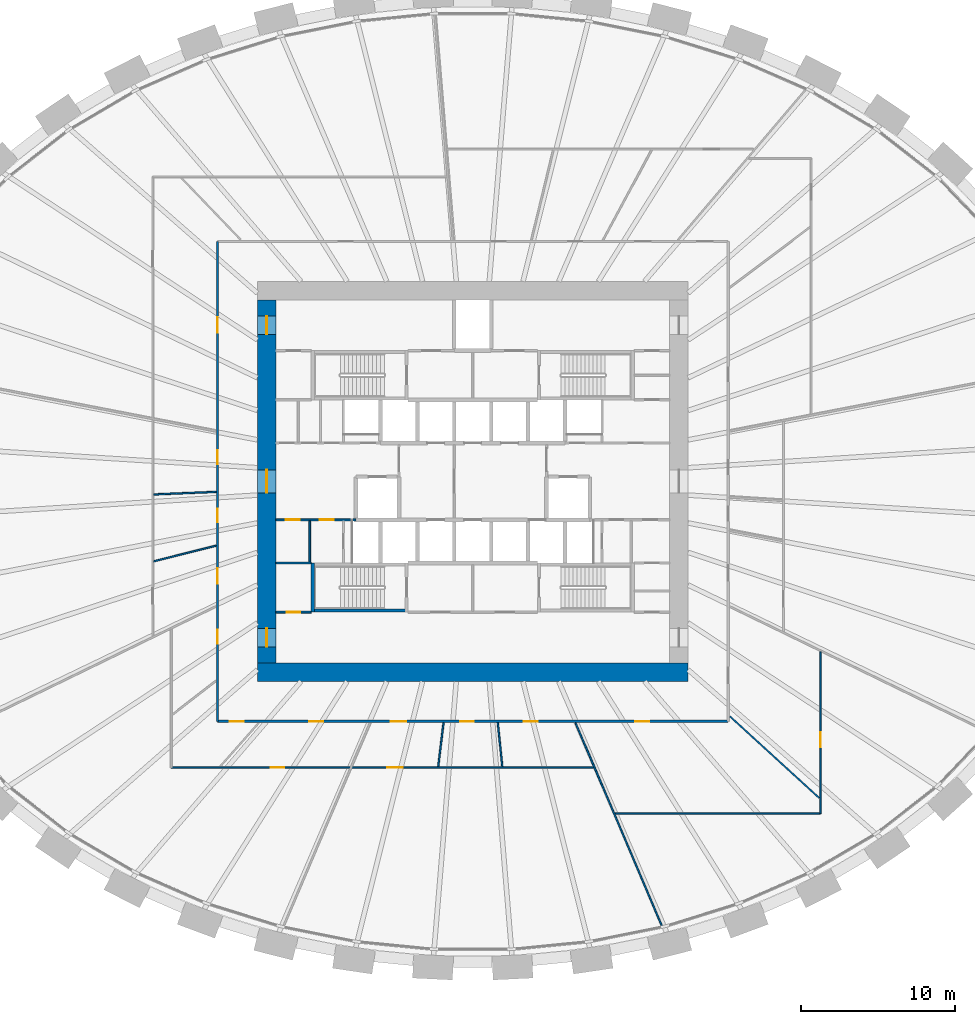
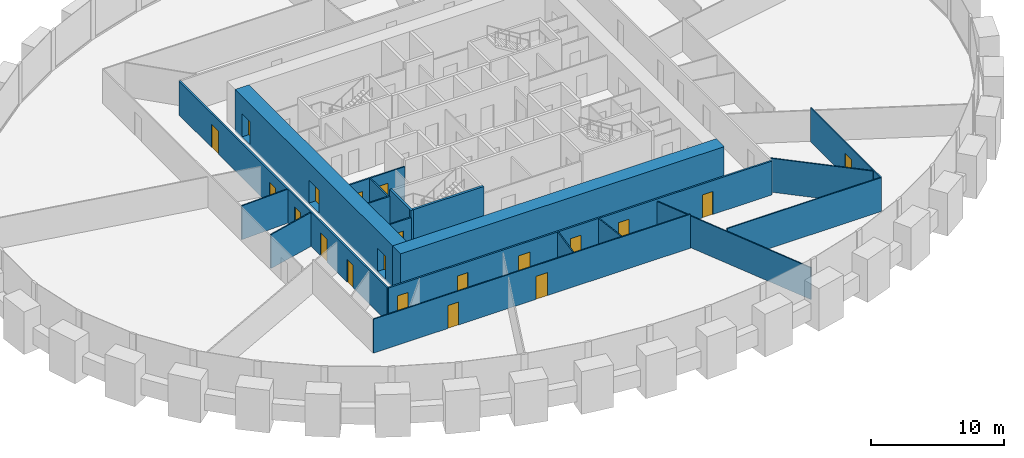
# One storey, part 6 of 11: 20 doors, 19 walls, 20 openings.
"""IFC4 building model written with IfcOpenShell, lengths in metres."""

from ifc_helpers import new_model, si_unit, direction, frame, frame_2d, origin, place, context, subcontext, project, spatial, rectangle, extrude, source, transform, mapped, material, layer, layer_set, type_object, element, fill, save


model = new_model("IFC4")

# Units and contexts
model_context = context("Model", 3, precision=1e-05, world=origin(), true_north=direction((0.0, 1.0)))
body_context = subcontext(model_context, "Body", "Model", "MODEL_VIEW")
ifc_project = project(units=[si_unit("LENGTHUNIT", "METRE"), si_unit("AREAUNIT", "SQUARE_METRE"), si_unit("VOLUMEUNIT", "CUBIC_METRE"), si_unit("PLANEANGLEUNIT", "RADIAN"), si_unit("MASSUNIT", "GRAM", prefix="KILO")], contexts=[model_context])

# Site, building, storey
site_placement = place(None, origin())
site = spatial("IfcSite", under=ifc_project, at=site_placement, CompositionType="ELEMENT")
building_placement = place(site_placement, origin())
building = spatial("IfcBuilding", under=site, at=building_placement, Name="Embergate Tower", CompositionType="ELEMENT")
storey_placement = place(building_placement, frame((0.0, 0.0, 69.800048828125)))
storey = spatial("IfcBuildingStorey", under=building, at=storey_placement, Name="L13", CompositionType="ELEMENT", Elevation=69.800048828125)

# Wall
ifc_material_1 = material(Name="Concrete C80", Category="concrete")
ifc_layer_1 = layer(ifc_material_1, 1.199951171875)
ifc_layer_set_1 = layer_set([ifc_layer_1], Name="Concrete C80")
wall_type_1 = type_object("IfcWallType", Name="Core outer wall C80 1200", PredefinedType="SHEAR", material=ifc_layer_set_1)
shared_shape_1 = source(origin(), body_context, "Body", "SweptSolid", [
    extrude(rectangle(XDim=28.0, YDim=1.199951171875, at=frame_2d((14.0, 0.0))), origin(), (0.0, 0.0, 1.0), 3.89990234375),
])
wall_1_placement = place(storey_placement, frame((-14.0, -12.39990234375, -0.199951171875), z_axis=(0.0, 0.0, 1.0), x_axis=(1.0, 0.0, 0.0)))
element("IfcWall", 1, at=wall_1_placement, inside=storey, type_object=wall_type_1, Name="CW-L13-S", PredefinedType="SHEAR", context=body_context, shape_type="MappedRepresentation", body=[
    mapped(shared_shape_1, transform((0.0, 0.0, 0.0))),
])

# Wall, openings, doors
shared_shape_2 = source(origin(), body_context, "Body", "SweptSolid", [
    extrude(rectangle(XDim=23.60009765625, YDim=1.199951171875, at=frame_2d((11.800048828125, 0.0))), origin(), (0.0, 0.0, 1.0), 3.89990234375),
])
wall_2_placement = place(storey_placement, frame((-13.39990234375, -11.800048828125, -0.199951171875), z_axis=(0.0, 0.0, 1.0), x_axis=(0.0, 1.0, 0.0)))
wall_2 = element("IfcWall", 2, at=wall_2_placement, inside=storey, type_object=wall_type_1, Name="CW-L13-W", PredefinedType="SHEAR", context=body_context, shape_type="MappedRepresentation", body=[
    mapped(shared_shape_2, transform((0.0, 0.0, 0.0))),
])
shared_shape_3 = source(origin(), body_context, "Body", "SweptSolid", [
    extrude(rectangle(XDim=1.199951171875, YDim=2.10009765625, at=frame_2d((0.60009765625, 1.050048828125))), frame((0.0, 0.60986328125, 0.0), z_axis=(0.0, -1.0, 0.0), x_axis=(1.0, 0.0, 0.0)), (0.0, 0.0, 1.0), 1.219970703125),
])
opening_1_placement = place(wall_2_placement, frame((21.35009765625, 0.0, 0.199951171875)))
opening_1 = element("IfcOpeningElement", 3, at=opening_1_placement, cuts=wall_2, Name="Opening IF-1", PredefinedType="OPENING", context=body_context, shape_type="MappedRepresentation", body=[
    mapped(shared_shape_3, transform((0.0, 0.0, 0.0))),
])
opening_2_placement = place(wall_2_placement, frame((1.050048828125, 0.0, 0.199951171875)))
opening_2 = element("IfcOpeningElement", 4, at=opening_2_placement, cuts=wall_2, Name="Opening IF-1", PredefinedType="OPENING", context=body_context, shape_type="MappedRepresentation", body=[
    mapped(shared_shape_3, transform((0.0, 0.0, 0.0))),
])
shared_shape_4 = source(origin(), body_context, "Body", "SweptSolid", [
    extrude(rectangle(XDim=1.5, YDim=2.10009765625, at=frame_2d((0.75, 1.050048828125))), frame((0.0, 0.60986328125, 0.0), z_axis=(0.0, -1.0, 0.0), x_axis=(1.0, 0.0, 0.0)), (0.0, 0.0, 1.0), 1.219970703125),
])
opening_3_placement = place(wall_2_placement, frame((11.050048828125, 0.0, 0.199951171875)))
opening_3 = element("IfcOpeningElement", 5, at=opening_3_placement, cuts=wall_2, Name="Opening IF-3", PredefinedType="OPENING", context=body_context, shape_type="MappedRepresentation", body=[
    mapped(shared_shape_4, transform((0.0, 0.0, 0.0))),
])
ifc_material_2 = material(Name="Escape fire door 1200")
door_type_1 = type_object("IfcDoorType", Name="Escape fire door 1200", OperationType="SINGLE_SWING_LEFT", PredefinedType="DOOR", material=ifc_material_2)
shared_shape_5 = source(origin(), body_context, "Body", "SweptSolid", [
    extrude(rectangle(XDim=1.199951171875, YDim=2.10009765625, at=frame_2d((0.60009765625, 1.050048828125))), frame((0.0, 0.02490234375, 0.0), z_axis=(0.0, -1.0, 0.0), x_axis=(1.0, 0.0, 0.0)), (0.0, 0.0, 1.0), 0.050048828125),
])
door_1_placement = place(opening_1_placement, origin())
door_1 = element("IfcDoor", 6, at=door_1_placement, inside=storey, type_object=door_type_1, Name="IF-1 door", OperationType="SINGLE_SWING_LEFT", OverallHeight=2.10009765625, OverallWidth=1.199951171875, PredefinedType="DOOR", context=body_context, shape_type="MappedRepresentation", body=[
    mapped(shared_shape_5, transform((0.0, 0.0, 0.0))),
])
fill(opening_1, door_1)
door_2_placement = place(opening_2_placement, origin())
door_2 = element("IfcDoor", 7, at=door_2_placement, inside=storey, type_object=door_type_1, Name="IF-1 door", OperationType="SINGLE_SWING_LEFT", OverallHeight=2.10009765625, OverallWidth=1.199951171875, PredefinedType="DOOR", context=body_context, shape_type="MappedRepresentation", body=[
    mapped(shared_shape_5, transform((0.0, 0.0, 0.0))),
])
fill(opening_2, door_2)
ifc_material_3 = material(Name="Lobby fire door pair 1500")
door_type_2 = type_object("IfcDoorType", Name="Lobby fire door pair 1500", OperationType="DOUBLE_DOOR_SINGLE_SWING", PredefinedType="DOOR", material=ifc_material_3)
shared_shape_6 = source(origin(), body_context, "Body", "SweptSolid", [
    extrude(rectangle(XDim=1.5, YDim=2.10009765625, at=frame_2d((0.75, 1.050048828125))), frame((0.0, 0.02490234375, 0.0), z_axis=(0.0, -1.0, 0.0), x_axis=(1.0, 0.0, 0.0)), (0.0, 0.0, 1.0), 0.050048828125),
])
door_3_placement = place(opening_3_placement, origin())
door_3 = element("IfcDoor", 8, at=door_3_placement, inside=storey, type_object=door_type_2, Name="IF-3 door", OperationType="DOUBLE_DOOR_SINGLE_SWING", OverallHeight=2.10009765625, OverallWidth=1.5, PredefinedType="DOOR", context=body_context, shape_type="MappedRepresentation", body=[
    mapped(shared_shape_6, transform((0.0, 0.0, 0.0))),
])
fill(opening_3, door_3)

# Walls
ifc_material_4 = material(Name="Concrete C50", Category="concrete")
ifc_layer_2 = layer(ifc_material_4, 0.199951171875)
ifc_layer_set_2 = layer_set([ifc_layer_2], Name="Concrete C50")
wall_type_2 = type_object("IfcWallType", Name="Stair enclosure wall reinforced concrete 250", PredefinedType="SHEAR", material=ifc_layer_set_2)
shared_shape_7 = source(origin(), body_context, "Body", "SweptSolid", [
    extrude(rectangle(XDim=6.300048828125, YDim=0.199951171875, at=frame_2d((3.14990234375, 0.0))), origin(), (0.0, 0.0, 1.0), 3.699951171875),
])
wall_3_placement = place(storey_placement, frame((-10.5, -8.39990234375, 0.0), z_axis=(0.0, 0.0, 1.0), x_axis=(1.0, 0.0, 0.0)))
element("IfcWall", 9, at=wall_3_placement, inside=storey, type_object=wall_type_2, Name="SE-1 wall", PredefinedType="SHEAR", context=body_context, shape_type="MappedRepresentation", body=[
    mapped(shared_shape_7, transform((0.0, 0.0, 0.0))),
])
shared_shape_8 = source(origin(), body_context, "Body", "SweptSolid", [
    extrude(rectangle(XDim=3.199951171875, YDim=0.199951171875, at=frame_2d((1.60009765625, 0.0))), origin(), (0.0, 0.0, 1.0), 3.699951171875),
])
wall_4_placement = place(storey_placement, frame((-10.39990234375, -5.300048828125, 0.0), z_axis=(0.0, 0.0, 1.0), x_axis=(0.0, -1.0, 0.0)))
element("IfcWall", 10, at=wall_4_placement, inside=storey, type_object=wall_type_2, Name="SE-1 wall", PredefinedType="SHEAR", context=body_context, shape_type="MappedRepresentation", body=[
    mapped(shared_shape_8, transform((0.0, 0.0, 0.0))),
])

# Wall, openings, doors
ifc_material_5 = material(Name="Core partition blockwork 120")
ifc_layer_3 = layer(ifc_material_5, 0.1201171875)
ifc_layer_set_3 = layer_set([ifc_layer_3], Name="Core partition blockwork 120")
wall_type_3 = type_object("IfcWallType", Name="Core partition blockwork 120", PredefinedType="PARTITIONING", material=ifc_layer_set_3)
shared_shape_9 = source(origin(), body_context, "Body", "SweptSolid", [
    extrude(rectangle(XDim=5.199951171875, YDim=0.1201171875, at=frame_2d((2.60009765625, 0.0))), origin(), (0.0, 0.0, 1.0), 3.099853515625),
])
wall_5_placement = place(storey_placement, frame((-7.60009765625, -2.5, 0.0), z_axis=(0.0, 0.0, 1.0), x_axis=(-1.0, 0.0, 0.0)))
wall_5 = element("IfcWall", 11, at=wall_5_placement, inside=storey, type_object=wall_type_3, Name="IP-3 wall", PredefinedType="PARTITIONING", context=body_context, shape_type="MappedRepresentation", body=[
    mapped(shared_shape_9, transform((0.0, 0.0, 0.0))),
])
shared_shape_10 = source(origin(), body_context, "Body", "SweptSolid", [
    extrude(rectangle(XDim=0.89990234375, YDim=2.10009765625, at=frame_2d((0.449951171875, 1.050048828125))), frame((0.0, 0.070068359375, 0.0), z_axis=(0.0, -1.0, 0.0), x_axis=(1.0, 0.0, 0.0)), (0.0, 0.0, 1.0), 0.14013671875),
])
opening_4_placement = place(wall_5_placement, frame((3.64990234375, 0.0, 0.0)))
opening_4 = element("IfcOpeningElement", 12, at=opening_4_placement, cuts=wall_5, Name="Opening ID-1", PredefinedType="OPENING", context=body_context, shape_type="MappedRepresentation", body=[
    mapped(shared_shape_10, transform((0.0, 0.0, 0.0))),
])
opening_5_placement = place(wall_5_placement, frame((1.449951171875, 0.0, 0.0)))
opening_5 = element("IfcOpeningElement", 13, at=opening_5_placement, cuts=wall_5, Name="Opening ID-1", PredefinedType="OPENING", context=body_context, shape_type="MappedRepresentation", body=[
    mapped(shared_shape_10, transform((0.0, 0.0, 0.0))),
])
ifc_material_6 = material(Name="Interior door 900")
door_type_3 = type_object("IfcDoorType", Name="Interior door 900", OperationType="SINGLE_SWING_LEFT", PredefinedType="DOOR", material=ifc_material_6)
shared_shape_11 = source(origin(), body_context, "Body", "SweptSolid", [
    extrude(rectangle(XDim=0.89990234375, YDim=2.10009765625, at=frame_2d((0.449951171875, 1.050048828125))), frame((0.0, 0.02490234375, 0.0), z_axis=(0.0, -1.0, 0.0), x_axis=(1.0, 0.0, 0.0)), (0.0, 0.0, 1.0), 0.050048828125),
])
door_4_placement = place(opening_4_placement, origin())
door_4 = element("IfcDoor", 14, at=door_4_placement, inside=storey, type_object=door_type_3, Name="ID-1 door", OperationType="SINGLE_SWING_LEFT", OverallHeight=2.10009765625, OverallWidth=0.89990234375, PredefinedType="DOOR", context=body_context, shape_type="MappedRepresentation", body=[
    mapped(shared_shape_11, transform((0.0, 0.0, 0.0))),
])
fill(opening_4, door_4)
door_5_placement = place(opening_5_placement, origin())
door_5 = element("IfcDoor", 15, at=door_5_placement, inside=storey, type_object=door_type_3, Name="ID-1 door", OperationType="SINGLE_SWING_LEFT", OverallHeight=2.10009765625, OverallWidth=0.89990234375, PredefinedType="DOOR", context=body_context, shape_type="MappedRepresentation", body=[
    mapped(shared_shape_11, transform((0.0, 0.0, 0.0))),
])
fill(opening_5, door_5)

# Wall, opening, door
shared_shape_12 = source(origin(), body_context, "Body", "SweptSolid", [
    extrude(rectangle(XDim=2.300048828125, YDim=0.1201171875, at=frame_2d((1.14990234375, 0.0))), origin(), (0.0, 0.0, 1.0), 3.099853515625),
])
wall_6_placement = place(storey_placement, frame((-10.5, -8.5, 0.0), z_axis=(0.0, 0.0, 1.0), x_axis=(-1.0, 0.0, 0.0)))
wall_6 = element("IfcWall", 16, at=wall_6_placement, inside=storey, type_object=wall_type_3, Name="IP-3 wall", PredefinedType="PARTITIONING", context=body_context, shape_type="MappedRepresentation", body=[
    mapped(shared_shape_12, transform((0.0, 0.0, 0.0))),
])
opening_6_placement = place(wall_6_placement, frame((0.699951171875, 0.0, 0.0)))
opening_6 = element("IfcOpeningElement", 17, at=opening_6_placement, cuts=wall_6, Name="Opening ID-1", PredefinedType="OPENING", context=body_context, shape_type="MappedRepresentation", body=[
    mapped(shared_shape_10, transform((0.0, 0.0, 0.0))),
])
door_6_placement = place(opening_6_placement, origin())
door_6 = element("IfcDoor", 18, at=door_6_placement, inside=storey, type_object=door_type_3, Name="ID-1 door", OperationType="SINGLE_SWING_LEFT", OverallHeight=2.10009765625, OverallWidth=0.89990234375, PredefinedType="DOOR", context=body_context, shape_type="MappedRepresentation", body=[
    mapped(shared_shape_11, transform((0.0, 0.0, 0.0))),
])
fill(opening_6, door_6)

# Walls
wall_7_placement = place(storey_placement, frame((-12.800048828125, -5.300048828125, 0.0), z_axis=(0.0, 0.0, 1.0), x_axis=(1.0, 0.0, 0.0)))
element("IfcWall", 19, at=wall_7_placement, inside=storey, type_object=wall_type_3, Name="IP-3 wall", PredefinedType="PARTITIONING", context=body_context, shape_type="MappedRepresentation", body=[
    mapped(shared_shape_12, transform((0.0, 0.0, 0.0))),
])
shared_shape_13 = source(origin(), body_context, "Body", "SweptSolid", [
    extrude(rectangle(XDim=2.679931640625, YDim=0.1201171875, at=frame_2d((1.33984375, 0.0))), origin(), (0.0, 0.0, 1.0), 3.099853515625),
])
wall_8_placement = place(storey_placement, frame((-10.60009765625, -5.239990234375, 0.0), z_axis=(0.0, 0.0, 1.0), x_axis=(0.0, 1.0, 0.0)))
element("IfcWall", 20, at=wall_8_placement, inside=storey, type_object=wall_type_3, Name="IP-3 wall", PredefinedType="PARTITIONING", context=body_context, shape_type="MappedRepresentation", body=[
    mapped(shared_shape_13, transform((0.0, 0.0, 0.0))),
])

# Wall, openings, doors
ifc_material_7 = material(Name="Corridor wall dry-lined 150 wet")
ifc_layer_4 = layer(ifc_material_7, 0.14990234375)
ifc_layer_set_4 = layer_set([ifc_layer_4], Name="Corridor wall dry-lined 150 wet")
wall_type_4 = type_object("IfcWallType", Name="Corridor wall dry-lined 150 wet", PredefinedType="PLUMBINGWALL", material=ifc_layer_set_4)
shared_shape_14 = source(origin(), body_context, "Body", "SweptSolid", [
    extrude(rectangle(XDim=31.2001953125, YDim=0.14990234375, at=frame_2d((15.60009765625, 0.0))), origin(), (0.0, 0.0, 1.0), 3.099853515625),
])
wall_9_placement = place(storey_placement, frame((-16.60009765625, -15.60009765625, 0.0), z_axis=(0.0, 0.0, 1.0), x_axis=(0.0, 1.0, 0.0)))
wall_9 = element("IfcWall", 21, at=wall_9_placement, inside=storey, type_object=wall_type_4, Name="IP-2 wall", PredefinedType="PLUMBINGWALL", context=body_context, shape_type="MappedRepresentation", body=[
    mapped(shared_shape_14, transform((0.0, 0.0, 0.0))),
])
shared_shape_15 = source(origin(), body_context, "Body", "SweptSolid", [
    extrude(rectangle(XDim=0.89990234375, YDim=2.10009765625, at=frame_2d((0.449951171875, 1.050048828125))), frame((0.0, 0.0849609375, 0.0), z_axis=(0.0, -1.0, 0.0), x_axis=(1.0, 0.0, 0.0)), (0.0, 0.0, 1.0), 0.169921875),
])
opening_7_placement = place(wall_9_placement, frame((5.06005859375, 0.0, 0.0)))
opening_7 = element("IfcOpeningElement", 22, at=opening_7_placement, cuts=wall_9, Name="Opening IF-1c", PredefinedType="OPENING", context=body_context, shape_type="MappedRepresentation", body=[
    mapped(shared_shape_15, transform((0.0, 0.0, 0.0))),
])
shared_shape_16 = source(origin(), body_context, "Body", "SweptSolid", [
    extrude(rectangle(XDim=1.0, YDim=2.10009765625, at=frame_2d((0.5, 1.050048828125))), frame((0.0, 0.0849609375, 0.0), z_axis=(0.0, -1.0, 0.0), x_axis=(1.0, 0.0, 0.0)), (0.0, 0.0, 1.0), 0.169921875),
])
opening_8_placement = place(wall_9_placement, frame((25.27490234375, 0.0, 0.0)))
opening_8 = element("IfcOpeningElement", 23, at=opening_8_placement, cuts=wall_9, Name="Opening ID-2", PredefinedType="OPENING", context=body_context, shape_type="MappedRepresentation", body=[
    mapped(shared_shape_16, transform((0.0, 0.0, 0.0))),
])
opening_9_placement = place(wall_9_placement, frame((16.722900390625, 0.0, 0.0)))
opening_9 = element("IfcOpeningElement", 24, at=opening_9_placement, cuts=wall_9, Name="Opening IF-1c", PredefinedType="OPENING", context=body_context, shape_type="MappedRepresentation", body=[
    mapped(shared_shape_15, transform((0.0, 0.0, 0.0))),
])
opening_10_placement = place(wall_9_placement, frame((12.929931640625, 0.0, 0.0)))
opening_10 = element("IfcOpeningElement", 25, at=opening_10_placement, cuts=wall_9, Name="Opening IF-1c", PredefinedType="OPENING", context=body_context, shape_type="MappedRepresentation", body=[
    mapped(shared_shape_15, transform((0.0, 0.0, 0.0))),
])
opening_11_placement = place(wall_9_placement, frame((8.9560546875, 0.0, 0.0)))
opening_11 = element("IfcOpeningElement", 26, at=opening_11_placement, cuts=wall_9, Name="Opening ID-2", PredefinedType="OPENING", context=body_context, shape_type="MappedRepresentation", body=[
    mapped(shared_shape_16, transform((0.0, 0.0, 0.0))),
])
ifc_material_8 = material(Name="Escape fire door 900")
door_type_4 = type_object("IfcDoorType", Name="Escape fire door 900", OperationType="SINGLE_SWING_LEFT", PredefinedType="DOOR", material=ifc_material_8)
door_7_placement = place(opening_7_placement, origin())
door_7 = element("IfcDoor", 27, at=door_7_placement, inside=storey, type_object=door_type_4, Name="IF-1 door", OperationType="SINGLE_SWING_RIGHT", OverallHeight=2.10009765625, OverallWidth=0.89990234375, PredefinedType="DOOR", context=body_context, shape_type="MappedRepresentation", body=[
    mapped(shared_shape_11, transform((0.0, 0.0, 0.0))),
])
fill(opening_7, door_7)
door_8_placement = place(opening_9_placement, origin())
door_8 = element("IfcDoor", 28, at=door_8_placement, inside=storey, type_object=door_type_4, Name="IF-1 door", OperationType="SINGLE_SWING_RIGHT", OverallHeight=2.10009765625, OverallWidth=0.89990234375, PredefinedType="DOOR", context=body_context, shape_type="MappedRepresentation", body=[
    mapped(shared_shape_11, transform((0.0, 0.0, 0.0))),
])
fill(opening_9, door_8)
door_9_placement = place(opening_10_placement, origin())
door_9 = element("IfcDoor", 29, at=door_9_placement, inside=storey, type_object=door_type_4, Name="IF-1 door", OperationType="SINGLE_SWING_RIGHT", OverallHeight=2.10009765625, OverallWidth=0.89990234375, PredefinedType="DOOR", context=body_context, shape_type="MappedRepresentation", body=[
    mapped(shared_shape_11, transform((0.0, 0.0, 0.0))),
])
fill(opening_10, door_9)
ifc_material_9 = material(Name="Interior door 1000")
door_type_5 = type_object("IfcDoorType", Name="Interior door 1000", OperationType="SINGLE_SWING_LEFT", PredefinedType="DOOR", material=ifc_material_9)
shared_shape_17 = source(origin(), body_context, "Body", "SweptSolid", [
    extrude(rectangle(XDim=1.0, YDim=2.10009765625, at=frame_2d((0.5, 1.050048828125))), frame((0.0, 0.02490234375, 0.0), z_axis=(0.0, -1.0, 0.0), x_axis=(1.0, 0.0, 0.0)), (0.0, 0.0, 1.0), 0.050048828125),
])
door_10_placement = place(opening_8_placement, origin())
door_10 = element("IfcDoor", 30, at=door_10_placement, inside=storey, type_object=door_type_5, Name="ID-2 door", OperationType="SINGLE_SWING_LEFT", OverallHeight=2.10009765625, OverallWidth=1.0, PredefinedType="DOOR", context=body_context, shape_type="MappedRepresentation", body=[
    mapped(shared_shape_17, transform((0.0, 0.0, 0.0))),
])
fill(opening_8, door_10)
door_11_placement = place(opening_11_placement, origin())
door_11 = element("IfcDoor", 31, at=door_11_placement, inside=storey, type_object=door_type_5, Name="ID-2 door", OperationType="SINGLE_SWING_RIGHT", OverallHeight=2.10009765625, OverallWidth=1.0, PredefinedType="DOOR", context=body_context, shape_type="MappedRepresentation", body=[
    mapped(shared_shape_17, transform((0.0, 0.0, 0.0))),
])
fill(opening_11, door_11)

shared_shape_18 = source(origin(), body_context, "Body", "SweptSolid", [
    extrude(rectangle(XDim=33.2001953125, YDim=0.14990234375, at=frame_2d((16.60009765625, 0.0))), origin(), (0.0, 0.0, 1.0), 3.099853515625),
])
wall_10_placement = place(storey_placement, frame((16.60009765625, -15.60009765625, 0.0), z_axis=(0.0, 0.0, 1.0), x_axis=(-1.0, 0.0, 0.0)))
wall_10 = element("IfcWall", 32, at=wall_10_placement, inside=storey, type_object=wall_type_4, Name="IP-2 wall", PredefinedType="PLUMBINGWALL", context=body_context, shape_type="MappedRepresentation", body=[
    mapped(shared_shape_18, transform((0.0, 0.0, 0.0))),
])
opening_12_placement = place(wall_10_placement, frame((31.489990234375, 0.0, 0.0)))
opening_12 = element("IfcOpeningElement", 33, at=opening_12_placement, cuts=wall_10, Name="Opening IF-1c", PredefinedType="OPENING", context=body_context, shape_type="MappedRepresentation", body=[
    mapped(shared_shape_15, transform((0.0, 0.0, 0.0))),
])
opening_13_placement = place(wall_10_placement, frame((26.323974609375, 0.0, 0.0)))
opening_13 = element("IfcOpeningElement", 34, at=opening_13_placement, cuts=wall_10, Name="Opening IF-1c", PredefinedType="OPENING", context=body_context, shape_type="MappedRepresentation", body=[
    mapped(shared_shape_15, transform((0.0, 0.0, 0.0))),
])
opening_14_placement = place(wall_10_placement, frame((20.929931640625, 0.0, 0.0)))
opening_14 = element("IfcOpeningElement", 35, at=opening_14_placement, cuts=wall_10, Name="Opening ID-2", PredefinedType="OPENING", context=body_context, shape_type="MappedRepresentation", body=[
    mapped(shared_shape_16, transform((0.0, 0.0, 0.0))),
])
opening_15_placement = place(wall_10_placement, frame((16.528076171875, 0.0, 0.0)))
opening_15 = element("IfcOpeningElement", 36, at=opening_15_placement, cuts=wall_10, Name="Opening IF-1c", PredefinedType="OPENING", context=body_context, shape_type="MappedRepresentation", body=[
    mapped(shared_shape_15, transform((0.0, 0.0, 0.0))),
])
opening_16_placement = place(wall_10_placement, frame((12.3759765625, 0.0, 0.0)))
opening_16 = element("IfcOpeningElement", 37, at=opening_16_placement, cuts=wall_10, Name="Opening IF-1c", PredefinedType="OPENING", context=body_context, shape_type="MappedRepresentation", body=[
    mapped(shared_shape_15, transform((0.0, 0.0, 0.0))),
])
opening_17_placement = place(wall_10_placement, frame((5.1240234375, 0.0, 0.0)))
opening_17 = element("IfcOpeningElement", 38, at=opening_17_placement, cuts=wall_10, Name="Opening IF-1c", PredefinedType="OPENING", context=body_context, shape_type="MappedRepresentation", body=[
    mapped(shared_shape_15, transform((0.0, 0.0, 0.0))),
])
door_12_placement = place(opening_12_placement, origin())
door_12 = element("IfcDoor", 39, at=door_12_placement, inside=storey, type_object=door_type_4, Name="IF-1 door", OperationType="SINGLE_SWING_RIGHT", OverallHeight=2.10009765625, OverallWidth=0.89990234375, PredefinedType="DOOR", context=body_context, shape_type="MappedRepresentation", body=[
    mapped(shared_shape_11, transform((0.0, 0.0, 0.0))),
])
fill(opening_12, door_12)
door_13_placement = place(opening_13_placement, origin())
door_13 = element("IfcDoor", 40, at=door_13_placement, inside=storey, type_object=door_type_4, Name="IF-1 door", OperationType="SINGLE_SWING_LEFT", OverallHeight=2.10009765625, OverallWidth=0.89990234375, PredefinedType="DOOR", context=body_context, shape_type="MappedRepresentation", body=[
    mapped(shared_shape_11, transform((0.0, 0.0, 0.0))),
])
fill(opening_13, door_13)
door_14_placement = place(opening_15_placement, origin())
door_14 = element("IfcDoor", 41, at=door_14_placement, inside=storey, type_object=door_type_4, Name="IF-1 door", OperationType="SINGLE_SWING_RIGHT", OverallHeight=2.10009765625, OverallWidth=0.89990234375, PredefinedType="DOOR", context=body_context, shape_type="MappedRepresentation", body=[
    mapped(shared_shape_11, transform((0.0, 0.0, 0.0))),
])
fill(opening_15, door_14)
door_15_placement = place(opening_16_placement, origin())
door_15 = element("IfcDoor", 42, at=door_15_placement, inside=storey, type_object=door_type_4, Name="IF-1 door", OperationType="SINGLE_SWING_RIGHT", OverallHeight=2.10009765625, OverallWidth=0.89990234375, PredefinedType="DOOR", context=body_context, shape_type="MappedRepresentation", body=[
    mapped(shared_shape_11, transform((0.0, 0.0, 0.0))),
])
fill(opening_16, door_15)
door_16_placement = place(opening_17_placement, origin())
door_16 = element("IfcDoor", 43, at=door_16_placement, inside=storey, type_object=door_type_4, Name="IF-1 door", OperationType="SINGLE_SWING_LEFT", OverallHeight=2.10009765625, OverallWidth=0.89990234375, PredefinedType="DOOR", context=body_context, shape_type="MappedRepresentation", body=[
    mapped(shared_shape_11, transform((0.0, 0.0, 0.0))),
])
fill(opening_17, door_16)
door_17_placement = place(opening_14_placement, origin())
door_17 = element("IfcDoor", 44, at=door_17_placement, inside=storey, type_object=door_type_5, Name="ID-2 door", OperationType="SINGLE_SWING_RIGHT", OverallHeight=2.10009765625, OverallWidth=1.0, PredefinedType="DOOR", context=body_context, shape_type="MappedRepresentation", body=[
    mapped(shared_shape_17, transform((0.0, 0.0, 0.0))),
])
fill(opening_14, door_17)

ifc_material_10 = material(Name="Partition dry-lined 100 wet")
ifc_layer_5 = layer(ifc_material_10, 0.10009765625)
ifc_layer_set_5 = layer_set([ifc_layer_5], Name="Partition dry-lined 100 wet")
wall_type_5 = type_object("IfcWallType", Name="Partition dry-lined 100 wet", PredefinedType="PLUMBINGWALL", material=ifc_layer_set_5)
shared_shape_19 = source(origin(), body_context, "Body", "SweptSolid", [
    extrude(rectangle(XDim=27.43798828125, YDim=0.10009765625, at=frame_2d((13.718994140625, 0.0))), origin(), (0.0, 0.0, 1.0), 3.099853515625),
])
wall_11_placement = place(storey_placement, frame((7.837890625, -18.60009765625, 0.0), z_axis=(0.0, 0.0, 1.0), x_axis=(-1.0, 0.0, 0.0)))
wall_11 = element("IfcWall", 45, at=wall_11_placement, inside=storey, type_object=wall_type_5, Name="IP-1 wall", PredefinedType="PLUMBINGWALL", context=body_context, shape_type="MappedRepresentation", body=[
    mapped(shared_shape_19, transform((0.0, 0.0, 0.0))),
])
shared_shape_20 = source(origin(), body_context, "Body", "SweptSolid", [
    extrude(rectangle(XDim=0.89990234375, YDim=2.10009765625, at=frame_2d((0.449951171875, 1.050048828125))), frame((0.0, 0.06005859375, 0.0), z_axis=(0.0, -1.0, 0.0), x_axis=(1.0, 0.0, 0.0)), (0.0, 0.0, 1.0), 0.1201171875),
])
opening_18_placement = place(wall_11_placement, frame((20.0810546875, 0.0, 0.0)))
opening_18 = element("IfcOpeningElement", 46, at=opening_18_placement, cuts=wall_11, Name="Opening ID-1", PredefinedType="OPENING", context=body_context, shape_type="MappedRepresentation", body=[
    mapped(shared_shape_20, transform((0.0, 0.0, 0.0))),
])
shared_shape_21 = source(origin(), body_context, "Body", "SweptSolid", [
    extrude(rectangle(XDim=1.0, YDim=2.10009765625, at=frame_2d((0.5, 1.050048828125))), frame((0.0, 0.06005859375, 0.0), z_axis=(0.0, -1.0, 0.0), x_axis=(1.0, 0.0, 0.0)), (0.0, 0.0, 1.0), 0.1201171875),
])
opening_19_placement = place(wall_11_placement, frame((12.381103515625, 0.0, 0.0)))
opening_19 = element("IfcOpeningElement", 47, at=opening_19_placement, cuts=wall_11, Name="Opening ID-2", PredefinedType="OPENING", context=body_context, shape_type="MappedRepresentation", body=[
    mapped(shared_shape_21, transform((0.0, 0.0, 0.0))),
])
door_18_placement = place(opening_18_placement, origin())
door_18 = element("IfcDoor", 48, at=door_18_placement, inside=storey, type_object=door_type_3, Name="ID-1 door", OperationType="SINGLE_SWING_LEFT", OverallHeight=2.10009765625, OverallWidth=0.89990234375, PredefinedType="DOOR", context=body_context, shape_type="MappedRepresentation", body=[
    mapped(shared_shape_11, transform((0.0, 0.0, 0.0))),
])
fill(opening_18, door_18)
door_19_placement = place(opening_19_placement, origin())
door_19 = element("IfcDoor", 49, at=door_19_placement, inside=storey, type_object=door_type_5, Name="ID-2 door", OperationType="SINGLE_SWING_RIGHT", OverallHeight=2.10009765625, OverallWidth=1.0, PredefinedType="DOOR", context=body_context, shape_type="MappedRepresentation", body=[
    mapped(shared_shape_17, transform((0.0, 0.0, 0.0))),
])
fill(opening_19, door_19)

# Walls
ifc_material_11 = material(Name="Partition dry-lined 100")
ifc_layer_6 = layer(ifc_material_11, 0.10009765625)
ifc_layer_set_6 = layer_set([ifc_layer_6], Name="Partition dry-lined 100")
wall_type_6 = type_object("IfcWallType", Name="Partition dry-lined 100", PredefinedType="PARTITIONING", material=ifc_layer_set_6)
shared_shape_22 = source(origin(), body_context, "Body", "SweptSolid", [
    extrude(rectangle(XDim=14.41015625, YDim=0.10009765625, at=frame_2d((7.205078125, 0.0))), origin(), (0.0, 0.0, 1.0), 2.89990234375),
])
wall_12_placement = place(storey_placement, frame((6.677978515625, -15.695068359375, 0.0), z_axis=(0.0, 0.0, 1.0), x_axis=(0.391470314231, -0.920190737334, 0.0)))
element("IfcWall", 50, at=wall_12_placement, inside=storey, type_object=wall_type_6, Name="IP-1 wall", PredefinedType="PARTITIONING", context=body_context, shape_type="MappedRepresentation", body=[
    mapped(shared_shape_22, transform((0.0, 0.0, 0.0))),
])
shared_shape_23 = source(origin(), body_context, "Body", "SweptSolid", [
    extrude(rectangle(XDim=2.884033203125, YDim=0.10009765625, at=frame_2d((1.44189453125, 0.0))), origin(), (0.0, 0.0, 1.0), 3.099853515625),
])
wall_13_placement = place(storey_placement, frame((-1.89990234375, -15.680908203125, 0.0), z_axis=(0.0, 0.0, 1.0), x_axis=(-0.120376873285, -0.992728265125, 0.0)))
element("IfcWall", 51, at=wall_13_placement, inside=storey, type_object=wall_type_6, Name="IP-1 wall", PredefinedType="PARTITIONING", context=body_context, shape_type="MappedRepresentation", body=[
    mapped(shared_shape_23, transform((0.0, 0.0, 0.0))),
])
shared_shape_24 = source(origin(), body_context, "Body", "SweptSolid", [
    extrude(rectangle(XDim=2.88037109375, YDim=0.10009765625, at=frame_2d((1.440185546875, 0.0))), origin(), (0.0, 0.0, 1.0), 3.099853515625),
])
wall_14_placement = place(storey_placement, frame((1.6240234375, -15.679931640625, 0.0), z_axis=(0.0, 0.0, 1.0), x_axis=(0.10306976913, -0.994674128894, 0.0)))
element("IfcWall", 52, at=wall_14_placement, inside=storey, type_object=wall_type_6, Name="IP-1 wall", PredefinedType="PARTITIONING", context=body_context, shape_type="MappedRepresentation", body=[
    mapped(shared_shape_24, transform((0.0, 0.0, 0.0))),
])
shared_shape_25 = source(origin(), body_context, "Body", "SweptSolid", [
    extrude(rectangle(XDim=7.86669921875, YDim=0.10009765625, at=frame_2d((3.933349609375, 0.0))), origin(), (0.0, 0.0, 1.0), 3.099853515625),
])
wall_15_placement = place(storey_placement, frame((16.708984375, -15.26806640625, 0.0), z_axis=(0.0, 0.0, 1.0), x_axis=(0.738186434387, -0.674596759618, 0.0)))
element("IfcWall", 53, at=wall_15_placement, inside=storey, type_object=wall_type_6, Name="IP-1 wall", PredefinedType="PARTITIONING", context=body_context, shape_type="MappedRepresentation", body=[
    mapped(shared_shape_25, transform((0.0, 0.0, 0.0))),
])

# Wall, opening, door
shared_shape_26 = source(origin(), body_context, "Body", "SweptSolid", [
    extrude(rectangle(XDim=10.51708984375, YDim=0.10009765625, at=frame_2d((5.258544921875, 0.0))), origin(), (0.0, 0.0, 1.0), 3.099853515625),
])
wall_16_placement = place(storey_placement, frame((22.60009765625, -11.0830078125, 0.0), z_axis=(0.0, 0.0, 1.0), x_axis=(0.0, -1.0, 0.0)))
wall_16 = element("IfcWall", 54, at=wall_16_placement, inside=storey, type_object=wall_type_6, Name="IP-1 wall", PredefinedType="PARTITIONING", context=body_context, shape_type="MappedRepresentation", body=[
    mapped(shared_shape_26, transform((0.0, 0.0, 0.0))),
])
opening_20_placement = place(wall_16_placement, frame((5.210205078125, 0.0, 0.0)))
opening_20 = element("IfcOpeningElement", 55, at=opening_20_placement, cuts=wall_16, Name="Opening ID-2", PredefinedType="OPENING", context=body_context, shape_type="MappedRepresentation", body=[
    mapped(shared_shape_21, transform((0.0, 0.0, 0.0))),
])
door_20_placement = place(opening_20_placement, origin())
door_20 = element("IfcDoor", 56, at=door_20_placement, inside=storey, type_object=door_type_5, Name="ID-2 door", OperationType="SINGLE_SWING_LEFT", OverallHeight=2.10009765625, OverallWidth=1.0, PredefinedType="DOOR", context=body_context, shape_type="MappedRepresentation", body=[
    mapped(shared_shape_17, transform((0.0, 0.0, 0.0))),
])
fill(opening_20, door_20)

# Walls
shared_shape_27 = source(origin(), body_context, "Body", "SweptSolid", [
    extrude(rectangle(XDim=13.333984375, YDim=0.10009765625, at=frame_2d((6.6669921875, 0.0))), origin(), (0.0, 0.0, 1.0), 3.099853515625),
])
wall_17_placement = place(storey_placement, frame((22.60009765625, -21.60009765625, 0.0), z_axis=(0.0, 0.0, 1.0), x_axis=(-1.0, 0.0, 0.0)))
element("IfcWall", 57, at=wall_17_placement, inside=storey, type_object=wall_type_6, Name="IP-1 wall", PredefinedType="PARTITIONING", context=body_context, shape_type="MappedRepresentation", body=[
    mapped(shared_shape_27, transform((0.0, 0.0, 0.0))),
])
shared_shape_28 = source(origin(), body_context, "Body", "SweptSolid", [
    extrude(rectangle(XDim=4.078369140625, YDim=0.10009765625, at=frame_2d((2.0390625, 0.0))), origin(), (0.0, 0.0, 1.0), 3.099853515625),
])
wall_18_placement = place(storey_placement, frame((-16.675048828125, -0.679931640625, 0.0), z_axis=(0.0, 0.0, 1.0), x_axis=(-0.99916136901, -0.040945801714, 0.0)))
element("IfcWall", 58, at=wall_18_placement, inside=storey, type_object=wall_type_6, Name="IP-1 wall", PredefinedType="PARTITIONING", context=body_context, shape_type="MappedRepresentation", body=[
    mapped(shared_shape_28, transform((0.0, 0.0, 0.0))),
])
shared_shape_29 = source(origin(), body_context, "Body", "SweptSolid", [
    extrude(rectangle(XDim=4.17626953125, YDim=0.10009765625, at=frame_2d((2.088134765625, 0.0))), origin(), (0.0, 0.0, 1.0), 3.099853515625),
])
wall_19_placement = place(storey_placement, frame((-16.68701171875, -4.180908203125, 0.0), z_axis=(0.0, 0.0, 1.0), x_axis=(-0.970008240275, -0.243072034175, 0.0)))
element("IfcWall", 59, at=wall_19_placement, inside=storey, type_object=wall_type_6, Name="IP-1 wall", PredefinedType="PARTITIONING", context=body_context, shape_type="MappedRepresentation", body=[
    mapped(shared_shape_29, transform((0.0, 0.0, 0.0))),
])

save(model, "model.ifc")
